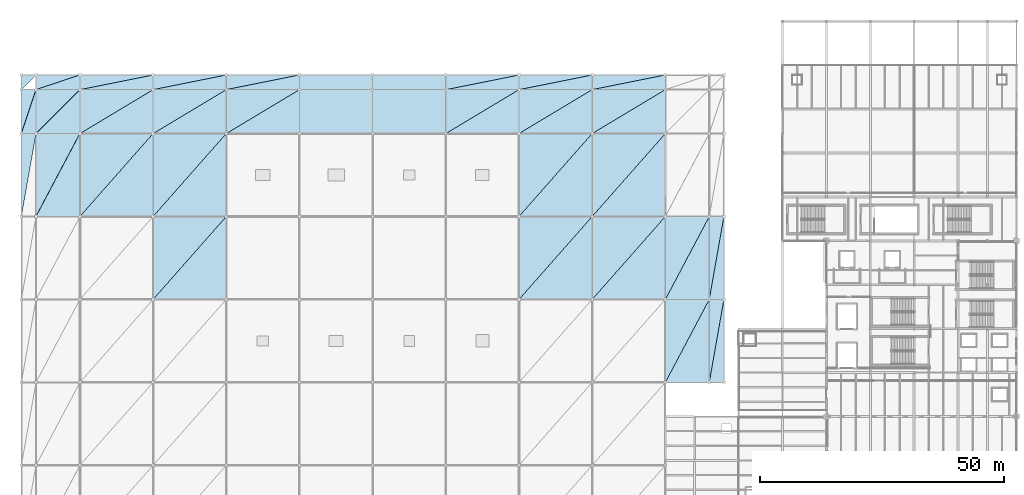
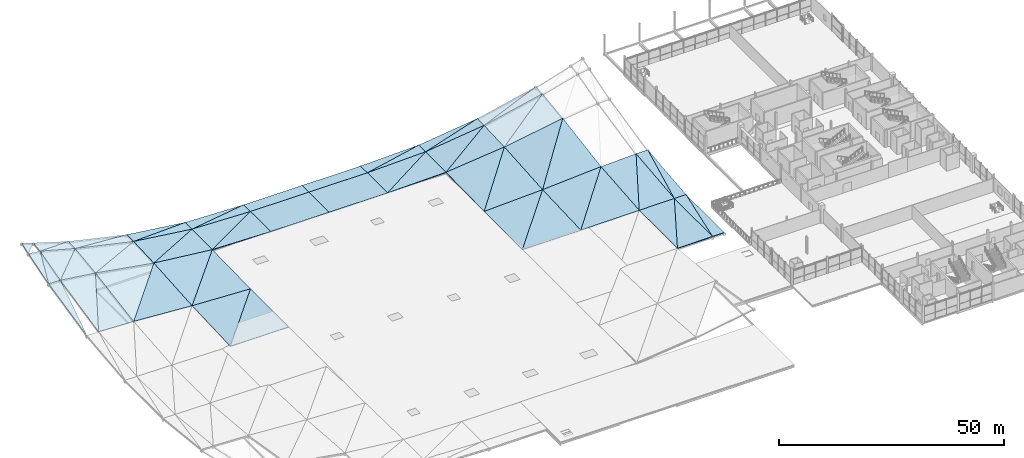
# One storey, part 56 of 69: 60 roofs.
"""IFC4 building model written with IfcOpenShell, lengths in metres."""

from ifc_helpers import new_model, si_unit, direction, frame, origin, place, context, subcontext, project, spatial, polyline, outline, extrude, material, layer, layer_set, type_object, element, save


model = new_model("IFC4")

# Units and contexts
model_context = context("Model", 3, precision=1e-05, world=origin(), true_north=direction((0.0, 1.0)))
body_context = subcontext(model_context, "Body", "Model", "MODEL_VIEW")
ifc_project = project(units=[si_unit("LENGTHUNIT", "METRE"), si_unit("AREAUNIT", "SQUARE_METRE"), si_unit("VOLUMEUNIT", "CUBIC_METRE"), si_unit("PLANEANGLEUNIT", "RADIAN"), si_unit("MASSUNIT", "GRAM", prefix="KILO")], contexts=[model_context])

# Site, building, storey
site_placement = place(None, origin())
site = spatial("IfcSite", under=ifc_project, at=site_placement, CompositionType="ELEMENT")
building_placement = place(site_placement, origin())
building = spatial("IfcBuilding", under=site, at=building_placement, Name="Qamarlyn Nura Convention Centre", CompositionType="ELEMENT")
storey_placement = place(building_placement, frame((0.0, 0.0, 15.60009765625)))
storey = spatial("IfcBuildingStorey", under=building, at=storey_placement, Name="L03", CompositionType="ELEMENT", Elevation=15.60009765625)

# Roofs
ifc_material = material(Name="High-albedo standing-seam insulated steel roof", Category="steel")
ifc_layer = layer(ifc_material, 0.199951171875, Name="ROOF-CROWN-FREE")
ifc_layer_set = layer_set([ifc_layer], Name="High-albedo standing-seam insulated steel roof")
roof_type = type_object("IfcRoofType", Name="ROOF-CROWN-FREE", PredefinedType="FREEFORM", material=ifc_layer_set)
roof_1_placement = place(storey_placement, frame((-12.0, 86.0, 2.03759765625), z_axis=(0.033120786907, -0.215278106692, 0.97599095808), x_axis=(0.17003034634, 0.963505295929, 0.206754023032)))
element("IfcRoof", 1, at=roof_1_placement, inside=storey, type_object=roof_type, Name="Exhibition swept roof facet 0-6B", PredefinedType="FREEFORM", context=body_context, shape_type="SweptSolid", body=[
    extrude(outline(polyline([(0.0, 0.0), (17.643909246609116, 5.273559366969494e-16), (17.15486714010844, 2.9616215845622027), (0.0, 0.0)])), origin(), (0.0, 0.0, -1.0), 0.199951171875),
])
roof_2_placement = place(storey_placement, frame((-12.0, 103.0, 5.787353515625), z_axis=(0.032730979187, -0.262030980463, 0.964504250006), x_axis=(0.999424686189, 0.0, -0.033916023286)))
element("IfcRoof", 2, at=roof_2_placement, inside=storey, type_object=roof_type, Name="Exhibition swept roof facet 0-7A", PredefinedType="FREEFORM", context=body_context, shape_type="SweptSolid", body=[
    extrude(outline(polyline([(0.0, 0.0), (3.001726934961831, -3.469446951953614e-18), (2.918799939548901, 9.325850223730196), (0.0, 0.0)])), origin(), (0.0, 0.0, -1.0), 0.199951171875),
])
roof_3_placement = place(storey_placement, frame((-12.0, 103.0, 5.787353515625), z_axis=(0.130308086511, -0.290267884833, 0.948031833656), x_axis=(0.307001372583, 0.921004117749, 0.239794854659)))
element("IfcRoof", 3, at=roof_3_placement, inside=storey, type_object=roof_type, Name="Exhibition swept roof facet 0-7B", PredefinedType="FREEFORM", context=body_context, shape_type="SweptSolid", body=[
    extrude(outline(polyline([(0.0, 0.0), (9.771943280768632, 7.771561172376096e-16), (8.949819414366898, 2.9144721254698878), (0.0, 0.0)])), origin(), (0.0, 0.0, -1.0), 0.199951171875),
])
roof_4_placement = place(storey_placement, frame((-12.0, 112.0, 8.54296875), z_axis=(0.310514147985, -0.310514147985, 0.898421909685), x_axis=(0.707106781187, 0.707106781187, 0.0)))
element("IfcRoof", 4, at=roof_4_placement, inside=storey, type_object=roof_type, Name="Exhibition swept roof facet 0-8B", PredefinedType="FREEFORM", context=body_context, shape_type="SweptSolid", body=[
    extrude(outline(polyline([(0.0, 0.0), (4.242640687119286, 0.0), (2.121320343559643, 2.361162746245062), (0.0, 0.0)])), origin(), (0.0, 0.0, -1.0), 0.199951171875),
])
roof_5_placement = place(storey_placement, frame((-9.0, 86.0, 2.01220703125), z_axis=(0.038156452767, -0.16410939496, 0.985703906657), x_axis=(0.999251614623, 0.0, -0.038680882543)))
element("IfcRoof", 5, at=roof_5_placement, inside=storey, type_object=roof_type, Name="Exhibition swept roof facet 1-6A", PredefinedType="FREEFORM", context=body_context, shape_type="SweptSolid", body=[
    extrude(outline(polyline([(0.0, 0.0), (9.006740512898704, 0.0), (8.897261149783136, 17.2336513367407), (0.0, 0.0)])), origin(), (0.0, 0.0, -1.0), 0.199951171875),
])
roof_6_placement = place(storey_placement, frame((-9.0, 86.0, 2.01220703125), z_axis=(0.128322513413, -0.20945835139, 0.969360888207), x_axis=(0.464040842701, 0.876521591768, 0.127968728486)))
element("IfcRoof", 6, at=roof_6_placement, inside=storey, type_object=roof_type, Name="Exhibition swept roof facet 1-6B", PredefinedType="FREEFORM", context=body_context, shape_type="SweptSolid", body=[
    extrude(outline(polyline([(0.0, 0.0), (19.39484453053916, -1.9984014443252818e-15), (15.370939689155431, 8.138036537152413), (0.0, 0.0)])), origin(), (0.0, 0.0, -1.0), 0.199951171875),
])
roof_7_placement = place(storey_placement, frame((-9.0, 103.0, 5.685546875), z_axis=(0.130117914592, -0.130117914592, 0.982923525308), x_axis=(0.991351473464, 0.0, -0.131233593492)))
element("IfcRoof", 7, at=roof_7_placement, inside=storey, type_object=roof_type, Name="Exhibition swept roof facet 1-7A", PredefinedType="FREEFORM", context=body_context, shape_type="SweptSolid", body=[
    extrude(outline(polyline([(0.0, 0.0), (9.078515784672023, 5.551115123125783e-17), (8.922163261175216, 9.077169313223987), (0.0, 0.0)])), origin(), (0.0, 0.0, -1.0), 0.199951171875),
])
roof_8_placement = place(storey_placement, frame((-9.0, 103.0, 5.685546875), z_axis=(0.25360079663, -0.25360079663, 0.933473766047), x_axis=(0.707106781187, 0.707106781187, 0.0)))
element("IfcRoof", 8, at=roof_8_placement, inside=storey, type_object=roof_type, Name="Exhibition swept roof facet 1-7B", PredefinedType="FREEFORM", context=body_context, shape_type="SweptSolid", body=[
    extrude(outline(polyline([(0.0, 0.0), (12.727922061357857, 0.0), (6.3639610306789285, 6.817503889402393), (0.0, 0.0)])), origin(), (0.0, 0.0, -1.0), 0.199951171875),
])
roof_9_placement = place(storey_placement, frame((-9.0, 112.0, 8.130615234375), z_axis=(0.262030980463, -0.032730979187, 0.964504250006), x_axis=(0.965021310393, 0.0, -0.262171452463)))
element("IfcRoof", 9, at=roof_9_placement, inside=storey, type_object=roof_type, Name="Exhibition swept roof facet 1-8A", PredefinedType="FREEFORM", context=body_context, shape_type="SweptSolid", body=[
    extrude(outline(polyline([(0.0, 0.0), (9.326218916689484, 0.0), (9.299528121846464, 3.001608267836761), (0.0, 0.0)])), origin(), (0.0, 0.0, -1.0), 0.199951171875),
])
roof_10_placement = place(storey_placement, frame((-9.0, 112.0, 8.130615234375), z_axis=(0.290267884833, -0.130308086511, 0.948031833656), x_axis=(0.921004117749, 0.307001372583, -0.239794854659)))
element("IfcRoof", 10, at=roof_10_placement, inside=storey, type_object=roof_type, Name="Exhibition swept roof facet 1-8B", PredefinedType="FREEFORM", context=body_context, shape_type="SweptSolid", body=[
    extrude(outline(polyline([(0.0, 0.0), (9.771943280768632, -7.771561172376096e-16), (0.8221238664017347, 2.9144721254698873), (0.0, 0.0)])), origin(), (0.0, 0.0, -1.0), 0.199951171875),
])
roof_11_placement = place(storey_placement, frame((0.0, 86.0, 1.663818359375), z_axis=(0.066555432119, -0.075385671932, 0.994930839266), x_axis=(0.997770042152, 0.0, -0.066745359265)))
element("IfcRoof", 11, at=roof_11_placement, inside=storey, type_object=roof_type, Name="Exhibition swept roof facet 2-6A", PredefinedType="FREEFORM", context=body_context, shape_type="SweptSolid", body=[
    extrude(outline(polyline([(0.0, 0.0), (15.033524125101552, 0.0), (14.94755036643883, 17.048512366045507), (0.0, 0.0)])), origin(), (0.0, 0.0, -1.0), 0.199951171875),
])
roof_12_placement = place(storey_placement, frame((0.0, 86.0, 1.663818359375), z_axis=(0.165108424484, -0.161975016646, 0.972884012689), x_axis=(0.661569488512, 0.749778753647, 0.012555176165)))
element("IfcRoof", 12, at=roof_12_placement, inside=storey, type_object=roof_type, Name="Exhibition swept roof facet 2-6B", PredefinedType="FREEFORM", context=body_context, shape_type="SweptSolid", body=[
    extrude(outline(polyline([(0.0, 0.0), (22.67335519618639, -1.1657341758564144e-15), (12.781774006654652, 11.560146079098658), (0.0, 0.0)])), origin(), (0.0, 0.0, -1.0), 0.199951171875),
])
roof_13_placement = place(storey_placement, frame((0.0, 103.0, 4.494140625), z_axis=(0.167155799856, -0.044005243177, 0.984947956568), x_axis=(0.985903000709, 0.0, -0.167317880671)))
element("IfcRoof", 13, at=roof_13_placement, inside=storey, type_object=roof_type, Name="Exhibition swept roof facet 2-7A", PredefinedType="FREEFORM", context=body_context, shape_type="SweptSolid", body=[
    extrude(outline(polyline([(0.0, 0.0), (15.21447849251489, -1.3877787807814457e-17), (15.147200038055816, 9.008726752733992), (0.0, 0.0)])), origin(), (0.0, 0.0, -1.0), 0.199951171875),
])
roof_14_placement = place(storey_placement, frame((0.0, 103.0, 4.494140625), z_axis=(0.215241712241, -0.128157583667, 0.968114992684), x_axis=(0.851126573655, 0.510675944193, -0.121629090441)))
element("IfcRoof", 14, at=roof_14_placement, inside=storey, type_object=roof_type, Name="Exhibition swept roof facet 2-7B", PredefinedType="FREEFORM", context=body_context, shape_type="SweptSolid", body=[
    extrude(outline(polyline([(0.0, 0.0), (17.62370070950773, -8.881784197001252e-16), (4.4511738392025215, 7.912426954211846), (0.0, 0.0)])), origin(), (0.0, 0.0, -1.0), 0.199951171875),
])
roof_15_placement = place(storey_placement, frame((0.0, 112.0, 5.685546875), z_axis=(0.217021532066, -0.009532424542, 0.976120273072), x_axis=(0.976164624712, 0.0, -0.217031392799)))
element("IfcRoof", 15, at=roof_15_placement, inside=storey, type_object=roof_type, Name="Exhibition swept roof facet 2-8A", PredefinedType="FREEFORM", context=body_context, shape_type="SweptSolid", body=[
    extrude(outline(polyline([(0.0, 0.0), (15.366260587880543, 6.938893903907228e-18), (15.359902246294634, 3.000136309966106), (0.0, 0.0)])), origin(), (0.0, 0.0, -1.0), 0.199951171875),
])
roof_16_placement = place(storey_placement, frame((0.0, 112.0, 5.685546875), z_axis=(0.221399750297, -0.033074333981, 0.974622100611), x_axis=(0.958456836979, 0.191691367396, -0.211222421431)))
element("IfcRoof", 16, at=roof_16_placement, inside=storey, type_object=roof_type, Name="Exhibition swept roof facet 2-8B", PredefinedType="FREEFORM", context=body_context, shape_type="SweptSolid", body=[
    extrude(outline(polyline([(0.0, 0.0), (15.650157024582981, 5.273559366969494e-16), (0.5535702570366341, 2.950241441407761), (0.0, 0.0)])), origin(), (0.0, 0.0, -1.0), 0.199951171875),
])
roof_17_placement = place(storey_placement, frame((15.0, 69.0, -0.018798828125), z_axis=(8.1380091e-05, -0.001694620723, 0.999998560818), x_axis=(0.999999996689, 0.0, -8.1380208e-05)))
element("IfcRoof", 17, at=roof_17_placement, inside=storey, type_object=roof_type, Name="Exhibition swept roof facet 3-5A", PredefinedType="FREEFORM", context=body_context, shape_type="SweptSolid", body=[
    extrude(outline(polyline([(0.0, 0.0), (15.000000049670538, 0.0), (14.999997705221185, 17.00002440983743), (0.0, 0.0)])), origin(), (0.0, 0.0, -1.0), 0.199951171875),
])
roof_18_placement = place(storey_placement, frame((15.0, 69.0, -0.018798828125), z_axis=(0.043365292987, -0.039883491864, 0.998262870411), x_axis=(0.661621147248, 0.749837300215, 0.00121684879)))
element("IfcRoof", 18, at=roof_18_placement, inside=storey, type_object=roof_type, Name="Exhibition swept roof facet 3-5B", PredefinedType="FREEFORM", context=body_context, shape_type="SweptSolid", body=[
    extrude(outline(polyline([(0.0, 0.0), (22.671584882661143, 1.4417720489712238e-15), (12.748060586394924, 11.267131971551365), (0.0, 0.0)])), origin(), (0.0, 0.0, -1.0), 0.199951171875),
])
roof_19_placement = place(storey_placement, frame((15.0, 86.0, 0.660400390625), z_axis=(0.043392066871, -0.01890686448, 0.998879201409), x_axis=(0.999057783726, 0.0, -0.043399824622)))
element("IfcRoof", 19, at=roof_19_placement, inside=storey, type_object=roof_type, Name="Exhibition swept roof facet 3-6A", PredefinedType="FREEFORM", context=body_context, shape_type="SweptSolid", body=[
    extrude(outline(polyline([(0.0, 0.0), (15.014146573246874, 0.0), (15.000181492960852, 17.003039305826572), (0.0, 0.0)])), origin(), (0.0, 0.0, -1.0), 0.199951171875),
])
roof_20_placement = place(storey_placement, frame((15.0, 86.0, 0.660400390625), z_axis=(0.106936313098, -0.075119962174, 0.99142403452), x_axis=(0.661551630573, 0.749758514649, -0.014546814012)))
element("IfcRoof", 20, at=roof_20_placement, inside=storey, type_object=roof_type, Name="Exhibition swept roof facet 3-6B", PredefinedType="FREEFORM", context=body_context, shape_type="SweptSolid", body=[
    extrude(outline(polyline([(0.0, 0.0), (22.673967241249354, -1.5543122344752192e-15), (12.727157202469183, 11.343660561124969), (0.0, 0.0)])), origin(), (0.0, 0.0, -1.0), 0.199951171875),
])
roof_21_placement = place(storey_placement, frame((15.0, 103.0, 1.948486328125), z_axis=(0.107230665997, -0.012701987748, 0.99415302835), x_axis=(0.994233236625, 0.0, -0.107239317368)))
element("IfcRoof", 21, at=roof_21_placement, inside=storey, type_object=roof_type, Name="Exhibition swept roof facet 3-7A", PredefinedType="FREEFORM", context=body_context, shape_type="SweptSolid", body=[
    extrude(outline(polyline([(0.0, 0.0), (15.087003177357657, 0.0), (15.074671703119247, 9.000726120083018), (0.0, 0.0)])), origin(), (0.0, 0.0, -1.0), 0.199951171875),
])
roof_22_placement = place(storey_placement, frame((15.0, 103.0, 1.948486328125), z_axis=(0.12586637425, -0.04427825161, 0.991058571563), x_axis=(0.85434546603, 0.512607279618, -0.085601410952)))
element("IfcRoof", 22, at=roof_22_placement, inside=storey, type_object=roof_type, Name="Exhibition swept roof facet 3-7B", PredefinedType="FREEFORM", context=body_context, shape_type="SweptSolid", body=[
    extrude(outline(polyline([(0.0, 0.0), (17.557300408820513, -1.8596235662471372e-15), (4.579045222655566, 7.758481097788069), (0.0, 0.0)])), origin(), (0.0, 0.0, -1.0), 0.199951171875),
])
roof_23_placement = place(storey_placement, frame((15.0, 112.0, 2.3505859375), z_axis=(0.125989437534, -0.00282559933, 0.992027558901), x_axis=(0.992031519104, 0.0, -0.125989940488)))
element("IfcRoof", 23, at=roof_23_placement, inside=storey, type_object=roof_type, Name="Exhibition swept roof facet 3-8A", PredefinedType="FREEFORM", context=body_context, shape_type="SweptSolid", body=[
    extrude(outline(polyline([(0.0, 0.0), (15.120487314301483, 0.0), (15.119410740102978, 3.0000119760890698), (0.0, 0.0)])), origin(), (0.0, 0.0, -1.0), 0.199951171875),
])
roof_24_placement = place(storey_placement, frame((15.0, 112.0, 2.3505859375), z_axis=(0.127334269893, -0.009685669617, 0.991812568742), x_axis=(0.973130534357, 0.194626106871, -0.12303512355)))
element("IfcRoof", 24, at=roof_24_placement, inside=storey, type_object=roof_type, Name="Exhibition swept roof facet 3-8B", PredefinedType="FREEFORM", context=body_context, shape_type="SweptSolid", body=[
    extrude(outline(polyline([(0.0, 0.0), (15.414170525351635, -3.3306690738754696e-16), (0.5802737759787516, 2.9434912352164604), (0.0, 0.0)])), origin(), (0.0, 0.0, -1.0), 0.199951171875),
])
roof_25_placement = place(storey_placement, frame((30.0, 103.0, 0.33056640625), z_axis=(0.023366014641, 0.0, 0.999726977409), x_axis=(0.999726977409, 0.0, -0.023366014641)))
element("IfcRoof", 25, at=roof_25_placement, inside=storey, type_object=roof_type, Name="Exhibition swept roof facet 4-7A", PredefinedType="FREEFORM", context=body_context, shape_type="SweptSolid", body=[
    extrude(outline(polyline([(0.0, 0.0), (15.004096457287016, 0.0), (15.004096457287016, 9.0), (0.0, 0.0)])), origin(), (0.0, 0.0, -1.0), 0.199951171875),
])
roof_26_placement = place(storey_placement, frame((30.0, 103.0, 0.33056640625), z_axis=(0.031020941864, -0.012769501502, 0.999437162105), x_axis=(0.857320763712, 0.514392458227, -0.020037640246)))
element("IfcRoof", 26, at=roof_26_placement, inside=storey, type_object=roof_type, Name="Exhibition swept roof facet 4-7B", PredefinedType="FREEFORM", context=body_context, shape_type="SweptSolid", body=[
    extrude(outline(polyline([(0.0, 0.0), (17.496368494621187, -2.0122792321330962e-16), (4.627227991098113, 7.720232112598672), (0.0, 0.0)])), origin(), (0.0, 0.0, -1.0), 0.199951171875),
])
roof_27_placement = place(storey_placement, frame((30.0, 112.0, 0.445556640625), z_axis=(0.031023471314, 0.0, 0.999518656268), x_axis=(0.999518656268, 0.0, -0.031023471314)))
element("IfcRoof", 27, at=roof_27_placement, inside=storey, type_object=roof_type, Name="Exhibition swept roof facet 4-8A", PredefinedType="FREEFORM", context=body_context, shape_type="SweptSolid", body=[
    extrude(outline(polyline([(0.0, 0.0), (15.007223633031455, 0.0), (15.007223633031455, 3.0), (0.0, 0.0)])), origin(), (0.0, 0.0, -1.0), 0.199951171875),
])
roof_28_placement = place(storey_placement, frame((30.0, 112.0, 0.445556640625), z_axis=(0.031592167372, -0.002846873991, 0.999496788524), x_axis=(0.980126820434, 0.196025364087, -0.030421579534)))
element("IfcRoof", 28, at=roof_28_placement, inside=storey, type_object=roof_type, Name="Exhibition swept roof facet 4-8B", PredefinedType="FREEFORM", context=body_context, shape_type="SweptSolid", body=[
    extrude(outline(polyline([(0.0, 0.0), (15.304141961306351, 2.949029909160572e-17), (0.5878161422397425, 2.9418608394368753), (0.0, 0.0)])), origin(), (0.0, 0.0, -1.0), 0.199951171875),
])
roof_29_placement = place(storey_placement, frame((45.0, 103.0, -0.02001953125), z_axis=(0.0, 0.0, 1.0), x_axis=(1.0, 0.0, 0.0)))
element("IfcRoof", 29, at=roof_29_placement, inside=storey, type_object=roof_type, Name="Exhibition eave roof panel 5-7", PredefinedType="FREEFORM", context=body_context, shape_type="SweptSolid", body=[
    extrude(outline(polyline([(0.0, 0.0), (15.0, 0.0), (15.0, 9.0), (0.0, 9.0), (0.0, 0.0)])), origin(), (0.0, 0.0, -1.0), 0.199951171875),
])
roof_30_placement = place(storey_placement, frame((45.0, 112.0, -0.02001953125), z_axis=(0.0, 0.0, 1.0), x_axis=(1.0, 0.0, 0.0)))
element("IfcRoof", 30, at=roof_30_placement, inside=storey, type_object=roof_type, Name="Exhibition eave roof panel 5-8", PredefinedType="FREEFORM", context=body_context, shape_type="SweptSolid", body=[
    extrude(outline(polyline([(0.0, 0.0), (15.0, 0.0), (15.0, 3.0), (0.0, 3.0), (0.0, 0.0)])), origin(), (0.0, 0.0, -1.0), 0.199951171875),
])
roof_31_placement = place(storey_placement, frame((60.0, 103.0, -0.02001953125), z_axis=(0.0, 0.0, 1.0), x_axis=(1.0, 0.0, 0.0)))
element("IfcRoof", 31, at=roof_31_placement, inside=storey, type_object=roof_type, Name="Exhibition eave roof panel 6-7", PredefinedType="FREEFORM", context=body_context, shape_type="SweptSolid", body=[
    extrude(outline(polyline([(0.0, 0.0), (15.0, 0.0), (15.0, 9.0), (0.0, 9.0), (0.0, 0.0)])), origin(), (0.0, 0.0, -1.0), 0.199951171875),
])
roof_32_placement = place(storey_placement, frame((60.0, 112.0, -0.02001953125), z_axis=(0.0, 0.0, 1.0), x_axis=(1.0, 0.0, 0.0)))
element("IfcRoof", 32, at=roof_32_placement, inside=storey, type_object=roof_type, Name="Exhibition eave roof panel 6-8", PredefinedType="FREEFORM", context=body_context, shape_type="SweptSolid", body=[
    extrude(outline(polyline([(0.0, 0.0), (15.0, 0.0), (15.0, 3.0), (0.0, 3.0), (0.0, 0.0)])), origin(), (0.0, 0.0, -1.0), 0.199951171875),
])
roof_33_placement = place(storey_placement, frame((75.0, 103.0, -0.02001953125), z_axis=(-0.023364108736, -0.012772162506, 0.999645432285), x_axis=(0.999726977409, 0.0, 0.023366014641)))
element("IfcRoof", 33, at=roof_33_placement, inside=storey, type_object=roof_type, Name="Exhibition swept roof facet 7-7A", PredefinedType="FREEFORM", context=body_context, shape_type="SweptSolid", body=[
    extrude(outline(polyline([(0.0, 0.0), (15.004096457287016, 8.673617379884035e-19), (15.006783320787024, 9.000734166431434), (0.0, 0.0)])), origin(), (0.0, 0.0, -1.0), 0.199951171875),
])
roof_34_placement = place(storey_placement, frame((75.0, 103.0, -0.02001953125), z_axis=(-0.031023471314, 0.0, 0.999518656268), x_axis=(0.857189375908, 0.514313625545, 0.026605796547)))
element("IfcRoof", 34, at=roof_34_placement, inside=storey, type_object=roof_type, Name="Exhibition swept roof facet 7-7B", PredefinedType="FREEFORM", context=body_context, shape_type="SweptSolid", body=[
    extrude(outline(polyline([(0.0, 0.0), (17.499050293425007, -9.71445146547012e-17), (4.628822629902063, 7.718419596064115), (0.0, 0.0)])), origin(), (0.0, 0.0, -1.0), 0.199951171875),
])
roof_35_placement = place(storey_placement, frame((75.0, 112.0, -0.02001953125), z_axis=(-0.031023345591, -0.00284692474, 0.99951460572), x_axis=(0.999518656268, 0.0, 0.031023471314)))
element("IfcRoof", 35, at=roof_35_placement, inside=storey, type_object=roof_type, Name="Exhibition swept roof facet 7-8A", PredefinedType="FREEFORM", context=body_context, shape_type="SweptSolid", body=[
    extrude(outline(polyline([(0.0, 0.0), (15.007223633031455, 0.0), (15.00748872617012, 3.0000121575446124), (0.0, 0.0)])), origin(), (0.0, 0.0, -1.0), 0.199951171875),
])
roof_36_placement = place(storey_placement, frame((75.0, 112.0, -0.02001953125), z_axis=(-0.031592295395, 0.0, 0.999500838855), x_axis=(0.98011002005, 0.19602200401, 0.03097938898)))
element("IfcRoof", 36, at=roof_36_placement, inside=storey, type_object=roof_type, Name="Exhibition swept roof facet 7-8B", PredefinedType="FREEFORM", context=body_context, shape_type="SweptSolid", body=[
    extrude(outline(polyline([(0.0, 0.0), (15.304404294566277, 2.207435623180487e-16), (0.5880660120299741, 2.94179849165356), (0.0, 0.0)])), origin(), (0.0, 0.0, -1.0), 0.199951171875),
])
roof_37_placement = place(storey_placement, frame((90.0, 69.0, -0.02001953125), z_axis=(-8.1315335e-05, -0.039921046131, 0.999202833995), x_axis=(0.999999996689, 0.0, 8.1380208e-05)))
element("IfcRoof", 37, at=roof_37_placement, inside=storey, type_object=roof_type, Name="Exhibition swept roof facet 8-5A", PredefinedType="FREEFORM", context=body_context, shape_type="SweptSolid", body=[
    extrude(outline(polyline([(0.0, 0.0), (15.000000049670538, 0.0), (15.000055323044277, 17.013562577417336), (0.0, 0.0)])), origin(), (0.0, 0.0, -1.0), 0.199951171875),
])
roof_38_placement = place(storey_placement, frame((90.0, 69.0, -0.02001953125), z_axis=(-0.043399762423, -0.001693024034, 0.99905635191), x_axis=(0.66132386954, 0.749500385478, 0.029998529043)))
element("IfcRoof", 38, at=roof_38_placement, inside=storey, type_object=roof_type, Name="Exhibition swept roof facet 8-5B", PredefinedType="FREEFORM", context=body_context, shape_type="SweptSolid", body=[
    extrude(outline(polyline([(0.0, 0.0), (22.68177619301638, 1.7381929229287607e-15), (12.742370768568676, 11.25312477187561), (0.0, 0.0)])), origin(), (0.0, 0.0, -1.0), 0.199951171875),
])
roof_39_placement = place(storey_placement, frame((90.0, 86.0, 0.0087890625), z_axis=(-0.043276010707, -0.07548241217, 0.996207605045), x_axis=(0.999057783726, 0.0, 0.043399824622)))
element("IfcRoof", 39, at=roof_39_placement, inside=storey, type_object=roof_type, Name="Exhibition swept roof facet 8-6A", PredefinedType="FREEFORM", context=body_context, shape_type="SweptSolid", body=[
    extrude(outline(polyline([(0.0, 0.0), (15.014146573246874, 0.0), (15.070049277032188, 17.048637490136702), (0.0, 0.0)])), origin(), (0.0, 0.0, -1.0), 0.199951171875),
])
roof_40_placement = place(storey_placement, frame((90.0, 86.0, 0.0087890625), z_axis=(-0.107220332904, -0.018815593796, 0.994057228555), x_axis=(0.65921335025, 0.747108463617, 0.08524495553)))
element("IfcRoof", 40, at=roof_40_placement, inside=storey, type_object=roof_type, Name="Exhibition swept roof facet 8-6B", PredefinedType="FREEFORM", context=body_context, shape_type="SweptSolid", body=[
    extrude(outline(polyline([(0.0, 0.0), (22.754393542396883, -1.7208456881689926e-15), (12.728273776849854, 11.273623522209137), (0.0, 0.0)])), origin(), (0.0, 0.0, -1.0), 0.199951171875),
])
roof_41_placement = place(storey_placement, frame((90.0, 103.0, 0.33056640625), z_axis=(-0.107133674358, -0.044376329578, 0.993253803009), x_axis=(0.994233236625, 0.0, 0.107239317368)))
element("IfcRoof", 41, at=roof_41_placement, inside=storey, type_object=roof_type, Name="Exhibition swept roof facet 8-7A", PredefinedType="FREEFORM", context=body_context, shape_type="SweptSolid", body=[
    extrude(outline(polyline([(0.0, 0.0), (15.087003177357657, -1.3877787807814457e-17), (15.130124064981139, 9.00887477351695), (0.0, 0.0)])), origin(), (0.0, 0.0, -1.0), 0.199951171875),
])
roof_42_placement = place(storey_placement, frame((90.0, 103.0, 0.33056640625), z_axis=(-0.125979821399, -0.012673863873, 0.991951842468), x_axis=(0.851832186735, 0.511099312041, 0.114714510303)))
element("IfcRoof", 42, at=roof_42_placement, inside=storey, type_object=roof_type, Name="Exhibition swept roof facet 8-7B", PredefinedType="FREEFORM", context=body_context, shape_type="SweptSolid", body=[
    extrude(outline(polyline([(0.0, 0.0), (17.6091021607188, 2.220446049250313e-16), (4.613084856793439, 7.72869140657231), (0.0, 0.0)])), origin(), (0.0, 0.0, -1.0), 0.199951171875),
])
roof_43_placement = place(storey_placement, frame((90.0, 112.0, 0.445556640625), z_axis=(-0.125984028598, -0.009687353218, 0.991984969506), x_axis=(0.992031519104, 0.0, 0.125989940488)))
element("IfcRoof", 43, at=roof_43_placement, inside=storey, type_object=roof_type, Name="Exhibition swept roof facet 8-8A", PredefinedType="FREEFORM", context=body_context, shape_type="SweptSolid", body=[
    extrude(outline(polyline([(0.0, 0.0), (15.120487314301483, 0.0), (15.124178425839212, 3.0001407771270308), (0.0, 0.0)])), origin(), (0.0, 0.0, -1.0), 0.199951171875),
])
roof_44_placement = place(storey_placement, frame((90.0, 112.0, 0.445556640625), z_axis=(-0.1273397349, -0.002825108216, 0.991855135934), x_axis=(0.972833802254, 0.194566760451, 0.125451858972)))
element("IfcRoof", 44, at=roof_44_placement, inside=storey, type_object=roof_type, Name="Exhibition swept roof facet 8-8B", PredefinedType="FREEFORM", context=body_context, shape_type="SweptSolid", body=[
    extrude(outline(polyline([(0.0, 0.0), (15.418872129283669, -2.1510571102112408e-16), (0.5847722576864209, 2.9424674037838), (0.0, 0.0)])), origin(), (0.0, 0.0, -1.0), 0.199951171875),
])
roof_45_placement = place(storey_placement, frame((105.0, 69.0, -0.018798828125), z_axis=(-0.009028099727, -0.090600398837, 0.995846404395), x_axis=(0.999958908574, 0.0, 0.009065382684)))
element("IfcRoof", 45, at=roof_45_placement, inside=storey, type_object=roof_type, Name="Exhibition swept roof facet 9-5A", PredefinedType="FREEFORM", context=body_context, shape_type="SweptSolid", body=[
    extrude(outline(polyline([(0.0, 0.0), (15.000616396716401, -1.734723475976807e-18), (15.014637197326785, 17.07020417078605), (0.0, 0.0)])), origin(), (0.0, 0.0, -1.0), 0.199951171875),
])
roof_46_placement = place(storey_placement, frame((105.0, 69.0, -0.018798828125), z_axis=(-0.066692389106, -0.039832165413, 0.996978196268), x_axis=(0.659806967279, 0.747781229583, 0.074013502905)))
element("IfcRoof", 46, at=roof_46_placement, inside=storey, type_object=roof_type, Name="Exhibition swept roof facet 9-5B", PredefinedType="FREEFORM", context=body_context, shape_type="SweptSolid", body=[
    extrude(outline(polyline([(0.0, 0.0), (22.733921804204186, -5.689893001203927e-16), (12.7625508162674, 11.250715899041401), (0.0, 0.0)])), origin(), (0.0, 0.0, -1.0), 0.199951171875),
])
roof_47_placement = place(storey_placement, frame((105.0, 86.0, 0.660400390625), z_axis=(-0.065843062709, -0.163872611848, 0.984281696558), x_axis=(0.997770042152, 0.0, 0.066745359265)))
element("IfcRoof", 47, at=roof_47_placement, inside=storey, type_object=roof_type, Name="Exhibition swept roof facet 9-6A", PredefinedType="FREEFORM", context=body_context, shape_type="SweptSolid", body=[
    extrude(outline(polyline([(0.0, 0.0), (15.033524125101552, 0.0), (15.222435001556619, 17.232963668738165), (0.0, 0.0)])), origin(), (0.0, 0.0, -1.0), 0.199951171875),
])
roof_48_placement = place(storey_placement, frame((105.0, 86.0, 0.660400390625), z_axis=(-0.166852980642, -0.074494073012, 0.983163626227), x_axis=(0.652360420948, 0.739341810408, 0.166732026207)))
element("IfcRoof", 48, at=roof_48_placement, inside=storey, type_object=roof_type, Name="Exhibition swept roof facet 9-6B", PredefinedType="FREEFORM", context=body_context, shape_type="SweptSolid", body=[
    extrude(outline(polyline([(0.0, 0.0), (22.993424368385533, -2.1094237467877974e-15), (12.78357595522276, 11.280042162130234), (0.0, 0.0)])), origin(), (0.0, 0.0, -1.0), 0.199951171875),
])
roof_49_placement = place(storey_placement, frame((105.0, 103.0, 1.948486328125), z_axis=(-0.165910828631, -0.129414795518, 0.977612094669), x_axis=(0.985903000709, 0.0, 0.167317880671)))
element("IfcRoof", 49, at=roof_49_placement, inside=storey, type_object=roof_type, Name="Exhibition swept roof facet 9-7A", PredefinedType="FREEFORM", context=body_context, shape_type="SweptSolid", body=[
    extrude(outline(polyline([(0.0, 0.0), (15.21447849251489, 0.0), (15.413822061282518, 9.076326955003882), (0.0, 0.0)])), origin(), (0.0, 0.0, -1.0), 0.199951171875),
])
roof_50_placement = place(storey_placement, frame((105.0, 103.0, 1.948486328125), z_axis=(-0.21682528142, -0.043571405381, 0.975237576168), x_axis=(0.838570537727, 0.503142322636, 0.208919258154)))
element("IfcRoof", 50, at=roof_50_placement, inside=storey, type_object=roof_type, Name="Exhibition swept roof facet 9-7B", PredefinedType="FREEFORM", context=body_context, shape_type="SweptSolid", body=[
    extrude(outline(polyline([(0.0, 0.0), (17.8875828867684, -7.216449660063518e-16), (4.612287255822425, 7.738765429035666), (0.0, 0.0)])), origin(), (0.0, 0.0, -1.0), 0.199951171875),
])
roof_51_placement = place(storey_placement, frame((105.0, 112.0, 2.3505859375), z_axis=(-0.216912408094, -0.033108519098, 0.975629454854), x_axis=(0.976164624712, 0.0, 0.217031392799)))
element("IfcRoof", 51, at=roof_51_placement, inside=storey, type_object=roof_type, Name="Exhibition swept roof facet 9-8A", PredefinedType="FREEFORM", context=body_context, shape_type="SweptSolid", body=[
    extrude(outline(polyline([(0.0, 0.0), (15.366260587880543, -2.7755575615628914e-17), (15.388355824891573, 3.001645614088508), (0.0, 0.0)])), origin(), (0.0, 0.0, -1.0), 0.199951171875),
])
roof_52_placement = place(storey_placement, frame((105.0, 112.0, 2.3505859375), z_axis=(-0.221510901694, -0.009522572259, 0.975111399302), x_axis=(0.956731942823, 0.191346388565, 0.219204354803)))
element("IfcRoof", 52, at=roof_52_placement, inside=storey, type_object=roof_type, Name="Exhibition swept roof facet 9-8B", PredefinedType="FREEFORM", context=body_context, shape_type="SweptSolid", body=[
    extrude(outline(polyline([(0.0, 0.0), (15.678372727615935, -2.7755575615628914e-17), (0.5804611682761185, 2.9434542868895193), (0.0, 0.0)])), origin(), (0.0, 0.0, -1.0), 0.199951171875),
])
roof_53_placement = place(storey_placement, frame((120.0, 52.0, 0.1171875), z_axis=(-0.007595267023, 0.0, 0.999971155543), x_axis=(0.999971155543, 0.0, 0.007595267023)))
element("IfcRoof", 53, at=roof_53_placement, inside=storey, type_object=roof_type, Name="Exhibition swept roof facet 10-4A", PredefinedType="FREEFORM", context=body_context, shape_type="SweptSolid", body=[
    extrude(outline(polyline([(0.0, 0.0), (9.00025960759746, 0.0), (9.00025960759746, 17.0), (0.0, 0.0)])), origin(), (0.0, 0.0, -1.0), 0.199951171875),
])
roof_54_placement = place(storey_placement, frame((120.0, 52.0, 0.1171875), z_axis=(-0.007595267023, 0.0, 0.999971155543), x_axis=(0.467884765797, 0.883782335394, 0.00355381224)))
element("IfcRoof", 54, at=roof_54_placement, inside=storey, type_object=roof_type, Name="Exhibition swept roof facet 10-4B", PredefinedType="FREEFORM", context=body_context, shape_type="SweptSolid", body=[
    extrude(outline(polyline([(0.0, 0.0), (19.235505530246677, -8.493639819251442e-16), (15.024299701693046, 7.954270455152146), (0.0, 0.0)])), origin(), (0.0, 0.0, -1.0), 0.199951171875),
])
roof_55_placement = place(storey_placement, frame((120.0, 69.0, 0.1171875), z_axis=(-0.007551799491, -0.106832578603, 0.994248344466), x_axis=(0.999971155543, 0.0, 0.007595267023)))
element("IfcRoof", 55, at=roof_55_placement, inside=storey, type_object=roof_type, Name="Exhibition swept roof facet 10-5A", PredefinedType="FREEFORM", context=body_context, shape_type="SweptSolid", body=[
    extrude(outline(polyline([(0.0, 0.0), (9.00025960759746, 8.673617379884035e-19), (9.01413357924526, 17.097850591210054), (0.0, 0.0)])), origin(), (0.0, 0.0, -1.0), 0.199951171875),
])
roof_56_placement = place(storey_placement, frame((120.0, 69.0, 0.1171875), z_axis=(-0.038522024296, -0.090536840564, 0.995147795126), x_axis=(0.465633533397, 0.879530007527, 0.098042737799)))
element("IfcRoof", 56, at=roof_56_placement, inside=storey, type_object=roof_type, Name="Exhibition swept roof facet 10-5B", PredefinedType="FREEFORM", context=body_context, shape_type="SweptSolid", body=[
    extrude(outline(polyline([(0.0, 0.0), (19.328504831564675, 9.506284648352903e-16), (15.103646051783993, 7.954366282589765), (0.0, 0.0)])), origin(), (0.0, 0.0, -1.0), 0.199951171875),
])
roof_57_placement = place(storey_placement, frame((129.0, 52.0, 0.185546875), z_axis=(-0.001708981879, 0.0, 0.999998539689), x_axis=(0.999998539689, 0.0, 0.001708981879)))
element("IfcRoof", 57, at=roof_57_placement, inside=storey, type_object=roof_type, Name="Exhibition swept roof facet 11-4A", PredefinedType="FREEFORM", context=body_context, shape_type="SweptSolid", body=[
    extrude(outline(polyline([(0.0, 0.0), (3.000004380938192, 0.0), (3.000004380938192, 17.0), (0.0, 0.0)])), origin(), (0.0, 0.0, -1.0), 0.199951171875),
])
roof_58_placement = place(storey_placement, frame((129.0, 52.0, 0.185546875), z_axis=(-0.001708981879, 0.0, 0.999998539689), x_axis=(0.173785326245, 0.984783515386, 0.000296996407)))
element("IfcRoof", 58, at=roof_58_placement, inside=storey, type_object=roof_type, Name="Exhibition swept roof facet 11-4B", PredefinedType="FREEFORM", context=body_context, shape_type="SweptSolid", body=[
    extrude(outline(polyline([(0.0, 0.0), (17.262677262975416, -2.198355429985921e-16), (16.741319761555204, 2.9543548604325145), (0.0, 0.0)])), origin(), (0.0, 0.0, -1.0), 0.199951171875),
])
roof_59_placement = place(storey_placement, frame((129.0, 69.0, 0.185546875), z_axis=(-0.001698984586, -0.108006877272, 0.994148695072), x_axis=(0.999998539689, 0.0, 0.001708981879)))
element("IfcRoof", 59, at=roof_59_placement, inside=storey, type_object=roof_type, Name="Exhibition swept roof facet 11-5A", PredefinedType="FREEFORM", context=body_context, shape_type="SweptSolid", body=[
    extrude(outline(polyline([(0.0, 0.0), (3.000004380938192, -1.0842021724855044e-19), (3.0031607402930014, 17.100032680211218), (0.0, 0.0)])), origin(), (0.0, 0.0, -1.0), 0.199951171875),
])
roof_60_placement = place(storey_placement, frame((129.0, 69.0, 0.185546875), z_axis=(-0.008414804312, -0.106831842522, 0.99424149405), x_axis=(0.172793718859, 0.979164406868, 0.106674247336)))
element("IfcRoof", 60, at=roof_60_placement, inside=storey, type_object=roof_type, Name="Exhibition swept roof facet 11-5B", PredefinedType="FREEFORM", context=body_context, shape_type="SweptSolid", body=[
    extrude(outline(polyline([(0.0, 0.0), (17.361742196459687, -9.402201239794294e-16), (16.840652514070985, 2.9545067653918022), (0.0, 0.0)])), origin(), (0.0, 0.0, -1.0), 0.199951171875),
])

save(model, "model.ifc")
